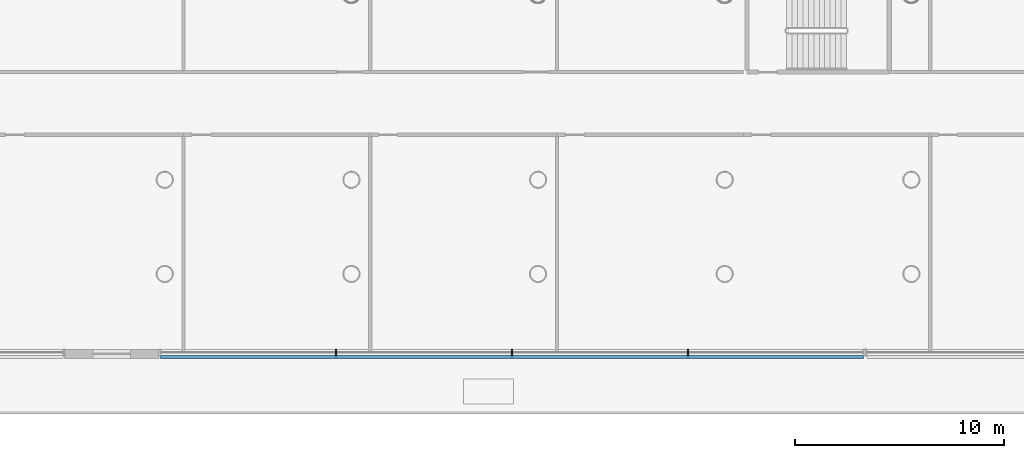
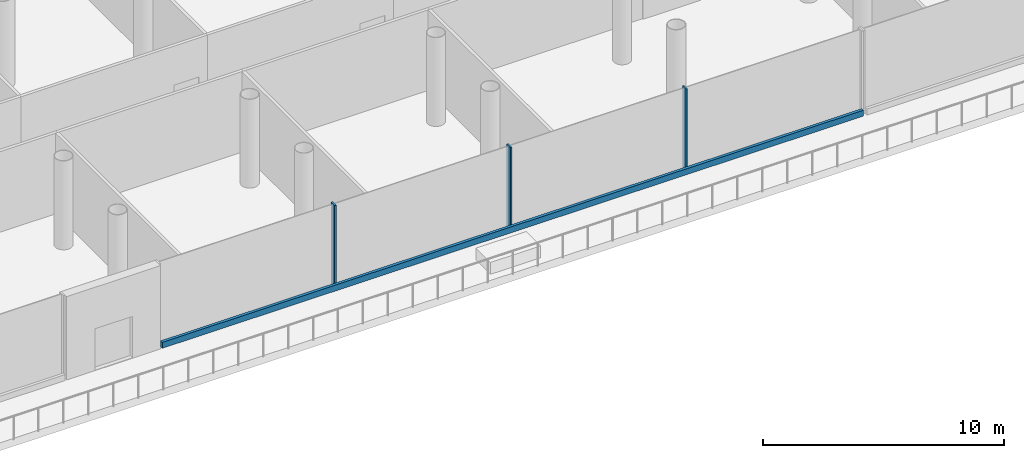
# One storey, part 6 of 49: 4 members, 1 element without a shape of its own.
"""IFC4 building model written with IfcOpenShell, lengths in metres."""

from ifc_helpers import new_model, si_unit, direction, frame, origin, origin_2d, place, context, subcontext, project, spatial, rectangle, extrude, material, layer, layer_set, material_profile, profile_set, type_object, element, aggregate, save


model = new_model("IFC4")

# Units and contexts
model_context = context("Model", 3, precision=1e-05, world=origin(), true_north=direction((0.0, 1.0)))
body_context = subcontext(model_context, "Body", "Model", "MODEL_VIEW")
ifc_project = project(units=[si_unit("LENGTHUNIT", "METRE"), si_unit("AREAUNIT", "SQUARE_METRE"), si_unit("VOLUMEUNIT", "CUBIC_METRE"), si_unit("PLANEANGLEUNIT", "RADIAN"), si_unit("MASSUNIT", "GRAM", prefix="KILO")], contexts=[model_context])

# Site, building, storey
site_placement = place(None, origin())
site = spatial("IfcSite", under=ifc_project, at=site_placement, CompositionType="ELEMENT")
building_placement = place(site_placement, origin())
building = spatial("IfcBuilding", under=site, at=building_placement, Name="Ipe Terrace Towers", CompositionType="ELEMENT")
storey_placement = place(building_placement, frame((0.0, 0.0, 11.0)))
storey = spatial("IfcBuildingStorey", under=building, at=storey_placement, Name="L02", CompositionType="ELEMENT", Elevation=11.0)

# Curtain wall, members
ifc_material_1 = material(Name="Aluminium alloy 6063-T6", Category="aluminium")
ifc_layer = layer(ifc_material_1, 0.43994140625)
ifc_layer_set = layer_set([ifc_layer], Name="PODIUM GLAZING CURTAIN WALL")
curtain_wall_type = type_object("IfcCurtainWallType", Name="PODIUM GLAZING CURTAIN WALL", PredefinedType="NOTDEFINED", material=ifc_layer_set)
curtain_wall_placement = place(storey_placement, origin())
curtain_wall = element("IfcCurtainWall", 1, at=curtain_wall_placement, inside=storey, type_object=curtain_wall_type, Name="POD-CW-L02-03c curtain wall", PredefinedType="NOTDEFINED")
ifc_material_2 = material(Name="Aluminium alloy 6063-T6", Category="aluminium")
ifc_material_profile_1 = material_profile(ifc_material_2, rectangle(XDim=0.300048828125, YDim=0.080078125, at=origin_2d()), Name="PODIUM GLAZING MULLION 300 x 80")
ifc_profile_set_1 = profile_set([ifc_material_profile_1], Name="Aluminium alloy 6063-T6")
member_type_1 = type_object("IfcMemberType", Name="PODIUM GLAZING MULLION 300 x 80", PredefinedType="MULLION", material=ifc_profile_set_1)
member_1_placement = place(storey_placement, frame((-25.29248046875, -36.89990234375, -0.02001953125), z_axis=(0.0, 0.0, 1.0), x_axis=(0.0, -1.0, 0.0)))
member_1 = element("IfcMember", 2, at=member_1_placement, type_object=member_type_1, Name="POD-CW-L02-03c mullion 2", PredefinedType="MULLION", context=body_context, shape_type="SweptSolid", body=[
    extrude(rectangle(XDim=0.300048828125, YDim=0.080078125, at=origin_2d()), origin(), (0.0, 0.0, 1.0), 4.219970703125),
])
member_2_placement = place(storey_placement, frame((-16.875, -36.89990234375, -0.02001953125), z_axis=(0.0, 0.0, 1.0), x_axis=(0.0, -1.0, 0.0)))
member_2 = element("IfcMember", 3, at=member_2_placement, type_object=member_type_1, Name="POD-CW-L02-03c mullion 3", PredefinedType="MULLION", context=body_context, shape_type="SweptSolid", body=[
    extrude(rectangle(XDim=0.300048828125, YDim=0.080078125, at=origin_2d()), origin(), (0.0, 0.0, 1.0), 4.219970703125),
])
member_3_placement = place(storey_placement, frame((-8.45751953125, -36.89990234375, -0.02001953125), z_axis=(0.0, 0.0, 1.0), x_axis=(0.0, -1.0, 0.0)))
member_3 = element("IfcMember", 4, at=member_3_placement, type_object=member_type_1, Name="POD-CW-L02-03c mullion 4", PredefinedType="MULLION", context=body_context, shape_type="SweptSolid", body=[
    extrude(rectangle(XDim=0.300048828125, YDim=0.080078125, at=origin_2d()), origin(), (0.0, 0.0, 1.0), 4.219970703125),
])
ifc_material_3 = material(Name="Aluminium alloy 6063-T6", Category="aluminium")
ifc_material_profile_2 = material_profile(ifc_material_3, rectangle(XDim=0.139892578125, YDim=0.300048828125, at=origin_2d()), Name="PODIUM GLAZING TRANSOM 140 x 300")
ifc_profile_set_2 = profile_set([ifc_material_profile_2], Name="Aluminium alloy 6063-T6")
member_type_2 = type_object("IfcMemberType", Name="PODIUM GLAZING TRANSOM 140 x 300", PredefinedType="USERDEFINED", material=ifc_profile_set_2)
member_4_placement = place(storey_placement, frame((-33.669921875, -37.1201171875, 0.1298828125), z_axis=(1.0, 0.0, 0.0), x_axis=(0.0, -1.0, 0.0)))
member_4 = element("IfcMember", 5, at=member_4_placement, type_object=member_type_2, Name="POD-CW-L02-03c transom", ObjectType="TRANSOM", PredefinedType="USERDEFINED", context=body_context, shape_type="SweptSolid", body=[
    extrude(rectangle(XDim=0.139892578125, YDim=0.300048828125, at=origin_2d()), origin(), (0.0, 0.0, 1.0), 33.58984375),
])
aggregate(curtain_wall, [member_1, member_2, member_3, member_4])

save(model, "model.ifc")
